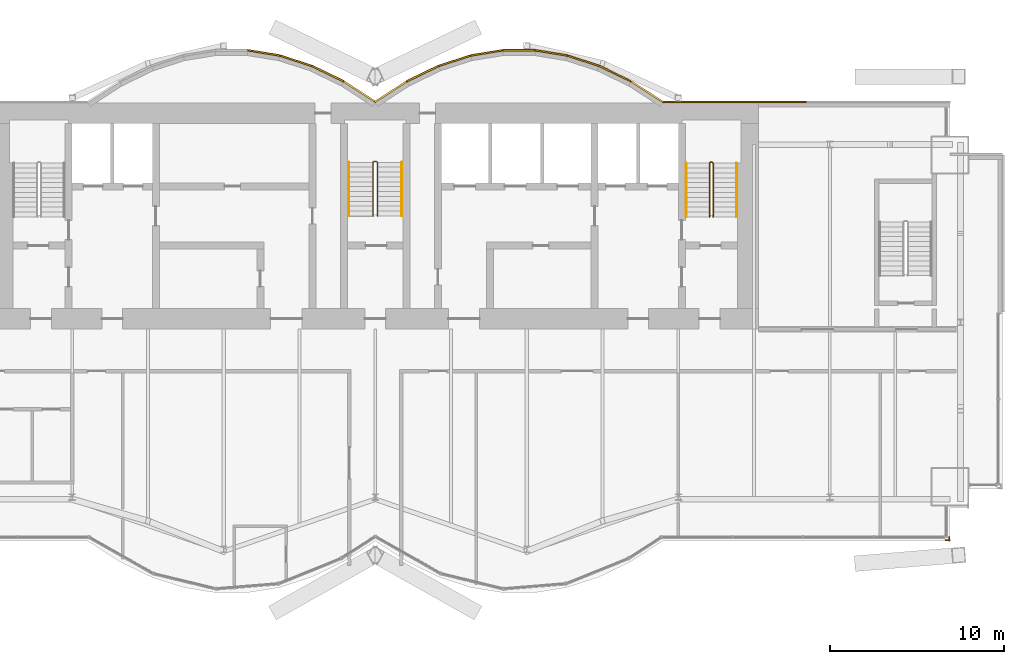
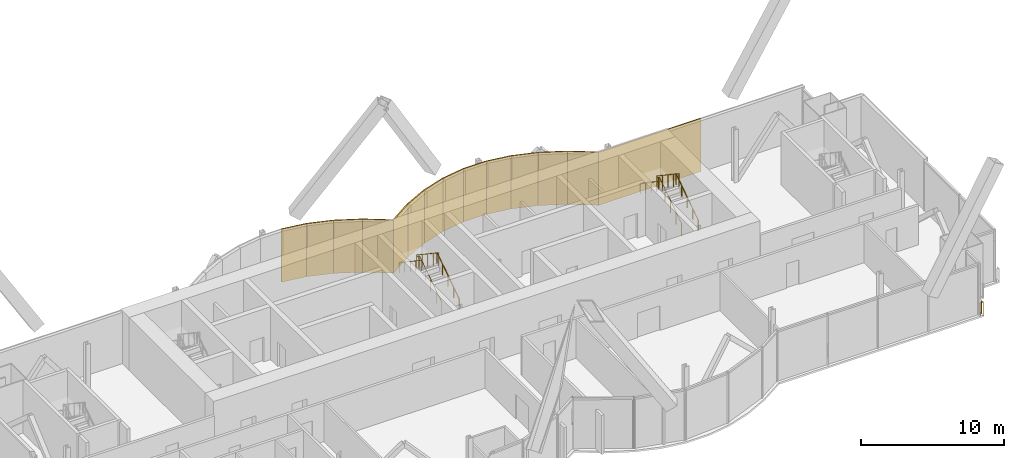
# One storey, part 16 of 17: 14 coverings, 7 railings.
"""IFC4 building model written with IfcOpenShell, lengths in metres."""

from ifc_helpers import new_model, si_unit, direction, frame, origin, origin_2d, place, context, subcontext, project, spatial, rectangle, circle, extrude, material, layer, layer_set, type_object, element, save


model = new_model("IFC4")

# Units and contexts
model_context = context("Model", 3, precision=1e-05, world=origin(), true_north=direction((0.0, 1.0)))
body_context = subcontext(model_context, "Body", "Model", "MODEL_VIEW")
ifc_project = project(units=[si_unit("LENGTHUNIT", "METRE"), si_unit("AREAUNIT", "SQUARE_METRE"), si_unit("VOLUMEUNIT", "CUBIC_METRE"), si_unit("PLANEANGLEUNIT", "RADIAN"), si_unit("MASSUNIT", "GRAM", prefix="KILO")], contexts=[model_context])

# Site, building, storey
site_placement = place(None, origin())
site = spatial("IfcSite", under=ifc_project, at=site_placement, CompositionType="ELEMENT")
building_placement = place(site_placement, origin())
building = spatial("IfcBuilding", under=site, at=building_placement, Name="Bicima Exchange Tower", CompositionType="ELEMENT")
storey_placement = place(building_placement, frame((0.0, 0.0, 333.5)))
storey = spatial("IfcBuildingStorey", under=building, at=storey_placement, Name="L75", CompositionType="ELEMENT", Elevation=333.5)

# Coverings
ifc_material_1 = material(Name="Bronze metal cladding")
ifc_layer_1 = layer(ifc_material_1, 0.004)
ifc_material_2 = material(Name="Ventilated cavity")
ifc_layer_2 = layer(ifc_material_2, 0.06)
ifc_material_3 = material(Name="Galvanised steel rail and mineral wool", Category="steel")
ifc_layer_3 = layer(ifc_material_3, 0.036)
ifc_layer_set = layer_set([ifc_layer_1, ifc_layer_2, ifc_layer_3], Name="Ventilated cavity")
covering_type = type_object("IfcCoveringType", Name="Bronze metal cladding panel 100", PredefinedType="CLADDING", material=ifc_layer_set)
covering_1_placement = place(storey_placement, frame((20.625, 0.050048828125, -0.14990234375), z_axis=(0.0, 0.0, 1.0), x_axis=(-1.0, 0.0, 0.0)))
element("IfcCovering", 1, at=covering_1_placement, inside=storey, type_object=covering_type, Name="Bronze cladding L75 1.2", PredefinedType="CLADDING", context=body_context, shape_type="SweptSolid", body=[
    extrude(rectangle(XDim=8.25, YDim=0.10009765625, at=origin_2d()), origin(), (0.0, 0.0, 1.0), 4.5),
])
covering_2_placement = place(storey_placement, frame((15.610595703125, 0.634521484375, -0.14990234375), z_axis=(0.0, 0.0, 1.0), x_axis=(-0.839790466384, 0.542910648791, 0.0)))
element("IfcCovering", 2, at=covering_2_placement, inside=storey, type_object=covering_type, Name="Bronze cladding L75 2.1", PredefinedType="CLADDING", context=body_context, shape_type="SweptSolid", body=[
    extrude(rectangle(XDim=2.18310546875, YDim=0.10009765625, at=origin_2d()), origin(), (0.0, 0.0, 1.0), 4.5),
])
covering_3_placement = place(storey_placement, frame((13.771728515625, 1.674560546875, -0.14990234375), z_axis=(0.0, 0.0, 1.0), x_axis=(-0.899818346812, 0.436264762204, 0.0)))
element("IfcCovering", 3, at=covering_3_placement, inside=storey, type_object=covering_type, Name="Bronze cladding L75 3.1", PredefinedType="CLADDING", context=body_context, shape_type="SweptSolid", body=[
    extrude(rectangle(XDim=2.03759765625, YDim=0.10009765625, at=origin_2d()), origin(), (0.0, 0.0, 1.0), 4.5),
])
covering_4_placement = place(storey_placement, frame((11.931884765625, 2.41796875, -0.14990234375), z_axis=(0.0, 0.0, 1.0), x_axis=(-0.951524642381, 0.307572519808, 0.0)))
element("IfcCovering", 4, at=covering_4_placement, inside=storey, type_object=covering_type, Name="Bronze cladding L75 4.1", PredefinedType="CLADDING", context=body_context, shape_type="SweptSolid", body=[
    extrude(rectangle(XDim=1.9267578125, YDim=0.10009765625, at=origin_2d()), origin(), (0.0, 0.0, 1.0), 4.5),
])
covering_5_placement = place(storey_placement, frame((10.09130859375, 2.8642578125, -0.14990234375), z_axis=(0.0, 0.0, 1.0), x_axis=(-0.987189786347, 0.159550386184, 0.0)))
element("IfcCovering", 5, at=covering_5_placement, inside=storey, type_object=covering_type, Name="Bronze cladding L75 5.1", PredefinedType="CLADDING", context=body_context, shape_type="SweptSolid", body=[
    extrude(rectangle(XDim=1.857177734375, YDim=0.10009765625, at=origin_2d()), origin(), (0.0, 0.0, 1.0), 4.5),
])
covering_6_placement = place(storey_placement, frame((8.25, 3.012939453125, -0.14990234375), z_axis=(0.0, 0.0, 1.0), x_axis=(-1.0, 0.0, 0.0)))
element("IfcCovering", 6, at=covering_6_placement, inside=storey, type_object=covering_type, Name="Bronze cladding L75 6.1", PredefinedType="CLADDING", context=body_context, shape_type="SweptSolid", body=[
    extrude(rectangle(XDim=1.83349609375, YDim=0.10009765625, at=origin_2d()), origin(), (0.0, 0.0, 1.0), 4.5),
])
covering_7_placement = place(storey_placement, frame((6.40869140625, 2.8642578125, -0.14990234375), z_axis=(0.0, 0.0, 1.0), x_axis=(-0.987189786347, -0.159550386184, 0.0)))
element("IfcCovering", 7, at=covering_7_placement, inside=storey, type_object=covering_type, Name="Bronze cladding L75 7.1", PredefinedType="CLADDING", context=body_context, shape_type="SweptSolid", body=[
    extrude(rectangle(XDim=1.857177734375, YDim=0.10009765625, at=origin_2d()), origin(), (0.0, 0.0, 1.0), 4.5),
])
covering_8_placement = place(storey_placement, frame((4.568115234375, 2.41796875, -0.14990234375), z_axis=(0.0, 0.0, 1.0), x_axis=(-0.951524642381, -0.307572519808, 0.0)))
element("IfcCovering", 8, at=covering_8_placement, inside=storey, type_object=covering_type, Name="Bronze cladding L75 8.1", PredefinedType="CLADDING", context=body_context, shape_type="SweptSolid", body=[
    extrude(rectangle(XDim=1.9267578125, YDim=0.10009765625, at=origin_2d()), origin(), (0.0, 0.0, 1.0), 4.5),
])
covering_9_placement = place(storey_placement, frame((2.728271484375, 1.674560546875, -0.14990234375), z_axis=(0.0, 0.0, 1.0), x_axis=(-0.899818346812, -0.436264762204, 0.0)))
element("IfcCovering", 9, at=covering_9_placement, inside=storey, type_object=covering_type, Name="Bronze cladding L75 9.1", PredefinedType="CLADDING", context=body_context, shape_type="SweptSolid", body=[
    extrude(rectangle(XDim=2.03759765625, YDim=0.10009765625, at=origin_2d()), origin(), (0.0, 0.0, 1.0), 4.5),
])
for number, where, z_axis, x_axis, name in (
    (10, (0.889404296875, 0.634521484375, -0.14990234375), (0.0, 0.0, 1.0), (-0.839790466384, -0.542910648791, 0.0), "Bronze cladding L75 10.1"),
    (11, (-0.889404296875, 0.634521484375, -0.14990234375), (0.0, 0.0, 1.0), (-0.839790466384, 0.542910648791, 0.0), "Bronze cladding L75 11.1"),
):
    element("IfcCovering", number, at=place(storey_placement, frame(where, z_axis=z_axis, x_axis=x_axis)), inside=storey, type_object=covering_type, Name=name, PredefinedType="CLADDING", context=body_context, shape_type="SweptSolid", body=[
        extrude(rectangle(XDim=2.18310546875, YDim=0.10009765625, at=origin_2d()), origin(), (0.0, 0.0, 1.0), 4.5),
    ])
covering_10_placement = place(storey_placement, frame((-2.728271484375, 1.674560546875, -0.14990234375), z_axis=(0.0, 0.0, 1.0), x_axis=(-0.899818346812, 0.436264762204, 0.0)))
element("IfcCovering", 12, at=covering_10_placement, inside=storey, type_object=covering_type, Name="Bronze cladding L75 12.1", PredefinedType="CLADDING", context=body_context, shape_type="SweptSolid", body=[
    extrude(rectangle(XDim=2.03759765625, YDim=0.10009765625, at=origin_2d()), origin(), (0.0, 0.0, 1.0), 4.5),
])
covering_11_placement = place(storey_placement, frame((-4.568115234375, 2.41796875, -0.14990234375), z_axis=(0.0, 0.0, 1.0), x_axis=(-0.951524642381, 0.307572519808, 0.0)))
element("IfcCovering", 13, at=covering_11_placement, inside=storey, type_object=covering_type, Name="Bronze cladding L75 13.1", PredefinedType="CLADDING", context=body_context, shape_type="SweptSolid", body=[
    extrude(rectangle(XDim=1.9267578125, YDim=0.10009765625, at=origin_2d()), origin(), (0.0, 0.0, 1.0), 4.5),
])
covering_12_placement = place(storey_placement, frame((-6.40869140625, 2.8642578125, -0.14990234375), z_axis=(0.0, 0.0, 1.0), x_axis=(-0.987189786347, 0.159550386184, 0.0)))
element("IfcCovering", 14, at=covering_12_placement, inside=storey, type_object=covering_type, Name="Bronze cladding L75 14.1", PredefinedType="CLADDING", context=body_context, shape_type="SweptSolid", body=[
    extrude(rectangle(XDim=1.857177734375, YDim=0.10009765625, at=origin_2d()), origin(), (0.0, 0.0, 1.0), 4.5),
])

# Railings
ifc_material_4 = material(Name="Stainless steel and bonded safety glass", Category="steel")
railing_type_1 = type_object("IfcRailingType", Name="Edge guard 1100", PredefinedType="GUARDRAIL", material=ifc_material_4)
railing_1_placement = place(storey_placement, frame((32.949951171875, -24.927001953125, 0.0)))
element("IfcRailing", 15, at=railing_1_placement, inside=storey, type_object=railing_type_1, Name="Edge guard L75 394", PredefinedType="GUARDRAIL", context=body_context, shape_type="SweptSolid", body=[
    extrude(circle(Radius=0.02392578125, at=origin_2d()), frame((0.0, 0.0, 1.076171875), z_axis=(0.0, -1.0, 0.0), x_axis=(1.0, 0.0, 0.0)), (0.0, 0.0, 1.0), 0.237060546875),
    extrude(circle(Radius=0.02392578125, at=origin_2d()), frame((0.0, -0.237060546875, 1.076171875), z_axis=(0.707106781187, 0.707106781187, 0.0), x_axis=(-0.707106781187, 0.707106781187, 0.0)), (0.0, 0.0, 1.0), 0.07080078125),
    extrude(circle(Radius=0.02392578125, at=origin_2d()), frame((0.050048828125, -0.18701171875, 1.076171875), z_axis=(-1.0, 0.0, 0.0), x_axis=(0.0, -1.0, 0.0)), (0.0, 0.0, 1.0), 0.25),
    extrude(circle(Radius=0.02099609375, at=origin_2d()), origin(), (0.0, 0.0, 1.0), 1.052001953125),
    extrude(circle(Radius=0.02099609375, at=origin_2d()), frame((0.0, -0.237060546875, 0.0)), (0.0, 0.0, 1.0), 1.052001953125),
    extrude(circle(Radius=0.02099609375, at=origin_2d()), frame((0.050048828125, -0.18701171875, 0.0)), (0.0, 0.0, 1.0), 1.052001953125),
    extrude(circle(Radius=0.02099609375, at=origin_2d()), frame((-0.199951171875, -0.18701171875, 0.0)), (0.0, 0.0, 1.0), 1.052001953125),
])
ifc_material_5 = material(Name="Stainless steel", Category="steel")
railing_type_2 = type_object("IfcRailingType", Name="Stair guard 1100", PredefinedType="GUARDRAIL", material=ifc_material_5)
railing_2_placement = place(storey_placement, frame((0.125, -6.5, 0.1875)))
element("IfcRailing", 16, at=railing_2_placement, inside=storey, type_object=railing_type_2, Name="L75 ST-C stair guard 1", PredefinedType="GUARDRAIL", context=body_context, shape_type="SweptSolid", body=[
    extrude(circle(Radius=0.02392578125, at=origin_2d()), frame((0.0, 0.0, 1.076171875), z_axis=(0.0, 0.830913701846, 0.55640131208), x_axis=(-1.0, 0.0, 0.0)), (0.0, 0.0, 1.0), 3.706787109375),
    extrude(circle(Radius=0.02392578125, at=origin_2d()), frame((0.0, 3.080078125, 3.138671875), z_axis=(-0.708833529934, 0.705375805398, 0.0), x_axis=(-0.705375805398, -0.708833529934, 0.0)), (0.0, 0.0, 1.0), 0.070556640625),
    extrude(circle(Radius=0.02392578125, at=origin_2d()), frame((-0.050048828125, 3.1298828125, 3.138671875), z_axis=(-1.0, 0.0, 0.0), x_axis=(0.0, -1.0, 0.0)), (0.0, 0.0, 1.0), 0.14990234375),
    extrude(circle(Radius=0.02392578125, at=origin_2d()), frame((-0.199951171875, 3.1298828125, 3.138671875), z_axis=(-0.249802250048, -0.248583702486, 0.935844527007), x_axis=(0.705375805398, -0.708833529934, 0.0)), (0.0, 0.0, 1.0), 0.200439453125),
    extrude(circle(Radius=0.02392578125, at=origin_2d()), frame((-0.25, 3.080078125, 3.326171875), z_axis=(0.0, -0.830913701846, 0.55640131208), x_axis=(1.0, 0.0, 0.0)), (0.0, 0.0, 1.0), 3.706787109375),
    extrude(circle(Radius=0.02099609375, at=origin_2d()), origin(), (0.0, 0.0, 1.0), 1.052001953125),
    extrude(circle(Radius=0.02099609375, at=origin_2d()), frame((0.0, 0.77001953125, 0.515625)), (0.0, 0.0, 1.0), 1.052001953125),
    extrude(circle(Radius=0.02099609375, at=origin_2d()), frame((0.0, 1.5400390625, 1.03125)), (0.0, 0.0, 1.0), 1.052001953125),
    extrude(circle(Radius=0.02099609375, at=origin_2d()), frame((0.0, 2.31005859375, 1.546875)), (0.0, 0.0, 1.0), 1.052001953125),
    extrude(circle(Radius=0.02099609375, at=origin_2d()), frame((0.0, 3.080078125, 2.0625)), (0.0, 0.0, 1.0), 1.052001953125),
    extrude(circle(Radius=0.02099609375, at=origin_2d()), frame((-0.050048828125, 3.1298828125, 2.0625)), (0.0, 0.0, 1.0), 1.052001953125),
    extrude(circle(Radius=0.02099609375, at=origin_2d()), frame((-0.199951171875, 3.1298828125, 2.0625)), (0.0, 0.0, 1.0), 1.052001953125),
    extrude(circle(Radius=0.02099609375, at=origin_2d()), frame((-0.25, 3.080078125, 2.25)), (0.0, 0.0, 1.0), 1.052001953125),
    extrude(circle(Radius=0.02099609375, at=origin_2d()), frame((-0.25, 2.31005859375, 2.765625)), (0.0, 0.0, 1.0), 1.052001953125),
    extrude(circle(Radius=0.02099609375, at=origin_2d()), frame((-0.25, 1.5400390625, 3.28125)), (0.0, 0.0, 1.0), 1.052001953125),
    extrude(circle(Radius=0.02099609375, at=origin_2d()), frame((-0.25, 0.77001953125, 3.796875)), (0.0, 0.0, 1.0), 1.052001953125),
    extrude(circle(Radius=0.02099609375, at=origin_2d()), frame((-0.25, 0.0, 4.3125)), (0.0, 0.0, 1.0), 1.052001953125),
])
railing_3_placement = place(storey_placement, frame((19.39990234375, -6.550048828125, 0.1875)))
element("IfcRailing", 17, at=railing_3_placement, inside=storey, type_object=railing_type_2, Name="L75 ST-E stair guard 1", PredefinedType="GUARDRAIL", context=body_context, shape_type="SweptSolid", body=[
    extrude(circle(Radius=0.02392578125, at=origin_2d()), frame((0.0, 0.0, 1.076171875), z_axis=(0.0, 0.830913701846, 0.55640131208), x_axis=(-1.0, 0.0, 0.0)), (0.0, 0.0, 1.0), 3.706787109375),
    extrude(circle(Radius=0.02392578125, at=origin_2d()), frame((0.0, 3.080078125, 3.138671875), z_axis=(-0.705375805398, 0.708833529934, 0.0), x_axis=(-0.708833529934, -0.705375805398, 0.0)), (0.0, 0.0, 1.0), 0.070556640625),
    extrude(circle(Radius=0.02392578125, at=origin_2d()), frame((-0.0498046875, 3.130126953125, 3.138671875), z_axis=(-1.0, 0.0, 0.0), x_axis=(0.0, -1.0, 0.0)), (0.0, 0.0, 1.0), 0.10009765625),
    extrude(circle(Radius=0.02392578125, at=origin_2d()), frame((-0.14990234375, 3.130126953125, 3.138671875), z_axis=(-0.249726431254, -0.249726431254, 0.935560483917), x_axis=(0.707106781187, -0.707106781187, 0.0)), (0.0, 0.0, 1.0), 0.200439453125),
    extrude(circle(Radius=0.02392578125, at=origin_2d()), frame((-0.199951171875, 3.080078125, 3.326171875), z_axis=(0.0, -0.830913701846, 0.55640131208), x_axis=(1.0, 0.0, 0.0)), (0.0, 0.0, 1.0), 3.706787109375),
    extrude(circle(Radius=0.02099609375, at=origin_2d()), origin(), (0.0, 0.0, 1.0), 1.052001953125),
    extrude(circle(Radius=0.02099609375, at=origin_2d()), frame((0.0, 0.77001953125, 0.515625)), (0.0, 0.0, 1.0), 1.052001953125),
    extrude(circle(Radius=0.02099609375, at=origin_2d()), frame((0.0, 1.5400390625, 1.03125)), (0.0, 0.0, 1.0), 1.052001953125),
    extrude(circle(Radius=0.02099609375, at=origin_2d()), frame((0.0, 2.31005859375, 1.546875)), (0.0, 0.0, 1.0), 1.052001953125),
    extrude(circle(Radius=0.02099609375, at=origin_2d()), frame((0.0, 3.080078125, 2.0625)), (0.0, 0.0, 1.0), 1.052001953125),
    extrude(circle(Radius=0.02099609375, at=origin_2d()), frame((-0.0498046875, 3.130126953125, 2.0625)), (0.0, 0.0, 1.0), 1.052001953125),
    extrude(circle(Radius=0.02099609375, at=origin_2d()), frame((-0.14990234375, 3.130126953125, 2.0625)), (0.0, 0.0, 1.0), 1.052001953125),
    extrude(circle(Radius=0.02099609375, at=origin_2d()), frame((-0.199951171875, 3.080078125, 2.25)), (0.0, 0.0, 1.0), 1.052001953125),
    extrude(circle(Radius=0.02099609375, at=origin_2d()), frame((-0.199951171875, 2.31005859375, 2.765625)), (0.0, 0.0, 1.0), 1.052001953125),
    extrude(circle(Radius=0.02099609375, at=origin_2d()), frame((-0.199951171875, 1.5400390625, 3.28125)), (0.0, 0.0, 1.0), 1.052001953125),
    extrude(circle(Radius=0.02099609375, at=origin_2d()), frame((-0.199951171875, 0.77001953125, 3.796875)), (0.0, 0.0, 1.0), 1.052001953125),
    extrude(circle(Radius=0.02099609375, at=origin_2d()), frame((-0.199951171875, 0.0, 4.3125)), (0.0, 0.0, 1.0), 1.052001953125),
])
railing_type_3 = type_object("IfcRailingType", Name="Stair handrail 900", PredefinedType="HANDRAIL", material=ifc_material_5)
railing_4_placement = place(storey_placement, frame((1.52490234375, -6.5, 0.1875)))
element("IfcRailing", 18, at=railing_4_placement, inside=storey, type_object=railing_type_3, Name="L75 ST-C stair handrail 1", PredefinedType="HANDRAIL", context=body_context, shape_type="SweptSolid", body=[
    extrude(circle(Radius=0.02392578125, at=origin_2d()), frame((0.0, 0.0, 0.8759765625), z_axis=(0.0, 0.830913701846, 0.55640131208), x_axis=(-1.0, 0.0, 0.0)), (0.0, 0.0, 1.0), 3.706787109375),
    extrude(circle(Radius=0.02099609375, at=origin_2d()), origin(), (0.0, 0.0, 1.0), 0.851806640625),
    extrude(circle(Radius=0.02099609375, at=origin_2d()), frame((0.0, 0.77001953125, 0.515625)), (0.0, 0.0, 1.0), 0.851806640625),
    extrude(circle(Radius=0.02099609375, at=origin_2d()), frame((0.0, 1.5400390625, 1.03125)), (0.0, 0.0, 1.0), 0.851806640625),
    extrude(circle(Radius=0.02099609375, at=origin_2d()), frame((0.0, 2.31005859375, 1.546875)), (0.0, 0.0, 1.0), 0.851806640625),
    extrude(circle(Radius=0.02099609375, at=origin_2d()), frame((0.0, 3.080078125, 2.0625)), (0.0, 0.0, 1.0), 0.851806640625),
])
railing_5_placement = place(storey_placement, frame((-1.52490234375, -3.419921875, 2.47900390625)))
element("IfcRailing", 19, at=railing_5_placement, inside=storey, type_object=railing_type_3, Name="L75 ST-C stair handrail 2", PredefinedType="HANDRAIL", context=body_context, shape_type="SweptSolid", body=[
    extrude(circle(Radius=0.02392578125, at=origin_2d()), frame((0.0, 0.0, 0.8759765625), z_axis=(0.0, -0.830913701846, 0.55640131208), x_axis=(1.0, 0.0, 0.0)), (0.0, 0.0, 1.0), 3.706787109375),
    extrude(circle(Radius=0.02099609375, at=origin_2d()), origin(), (0.0, 0.0, 1.0), 0.851806640625),
    extrude(circle(Radius=0.02099609375, at=origin_2d()), frame((0.0, -0.77001953125, 0.515625)), (0.0, 0.0, 1.0), 0.851806640625),
    extrude(circle(Radius=0.02099609375, at=origin_2d()), frame((0.0, -1.5400390625, 1.03125)), (0.0, 0.0, 1.0), 0.851806640625),
    extrude(circle(Radius=0.02099609375, at=origin_2d()), frame((0.0, -2.31005859375, 1.546875)), (0.0, 0.0, 1.0), 0.851806640625),
    extrude(circle(Radius=0.02099609375, at=origin_2d()), frame((0.0, -3.080078125, 2.0625)), (0.0, 0.0, 1.0), 0.851806640625),
])
railing_6_placement = place(storey_placement, frame((20.75, -6.550048828125, 0.1875)))
element("IfcRailing", 20, at=railing_6_placement, inside=storey, type_object=railing_type_3, Name="L75 ST-E stair handrail 1", PredefinedType="HANDRAIL", context=body_context, shape_type="SweptSolid", body=[
    extrude(circle(Radius=0.02392578125, at=origin_2d()), frame((0.0, 0.0, 0.8759765625), z_axis=(0.0, 0.830913701846, 0.55640131208), x_axis=(-1.0, 0.0, 0.0)), (0.0, 0.0, 1.0), 3.706787109375),
    extrude(circle(Radius=0.02099609375, at=origin_2d()), origin(), (0.0, 0.0, 1.0), 0.851806640625),
    extrude(circle(Radius=0.02099609375, at=origin_2d()), frame((0.0, 0.77001953125, 0.515625)), (0.0, 0.0, 1.0), 0.851806640625),
    extrude(circle(Radius=0.02099609375, at=origin_2d()), frame((0.0, 1.5400390625, 1.03125)), (0.0, 0.0, 1.0), 0.851806640625),
    extrude(circle(Radius=0.02099609375, at=origin_2d()), frame((0.0, 2.31005859375, 1.546875)), (0.0, 0.0, 1.0), 0.851806640625),
    extrude(circle(Radius=0.02099609375, at=origin_2d()), frame((0.0, 3.080078125, 2.0625)), (0.0, 0.0, 1.0), 0.851806640625),
])
railing_7_placement = place(storey_placement, frame((17.85009765625, -3.469970703125, 2.47900390625)))
element("IfcRailing", 21, at=railing_7_placement, inside=storey, type_object=railing_type_3, Name="L75 ST-E stair handrail 2", PredefinedType="HANDRAIL", context=body_context, shape_type="SweptSolid", body=[
    extrude(circle(Radius=0.02392578125, at=origin_2d()), frame((0.0, 0.0, 0.8759765625), z_axis=(0.0, -0.830913701846, 0.55640131208), x_axis=(1.0, 0.0, 0.0)), (0.0, 0.0, 1.0), 3.706787109375),
    extrude(circle(Radius=0.02099609375, at=origin_2d()), origin(), (0.0, 0.0, 1.0), 0.851806640625),
    extrude(circle(Radius=0.02099609375, at=origin_2d()), frame((0.0, -0.77001953125, 0.515625)), (0.0, 0.0, 1.0), 0.851806640625),
    extrude(circle(Radius=0.02099609375, at=origin_2d()), frame((0.0, -1.5400390625, 1.03125)), (0.0, 0.0, 1.0), 0.851806640625),
    extrude(circle(Radius=0.02099609375, at=origin_2d()), frame((0.0, -2.31005859375, 1.546875)), (0.0, 0.0, 1.0), 0.851806640625),
    extrude(circle(Radius=0.02099609375, at=origin_2d()), frame((0.0, -3.080078125, 2.0625)), (0.0, 0.0, 1.0), 0.851806640625),
])

save(model, "model.ifc")
